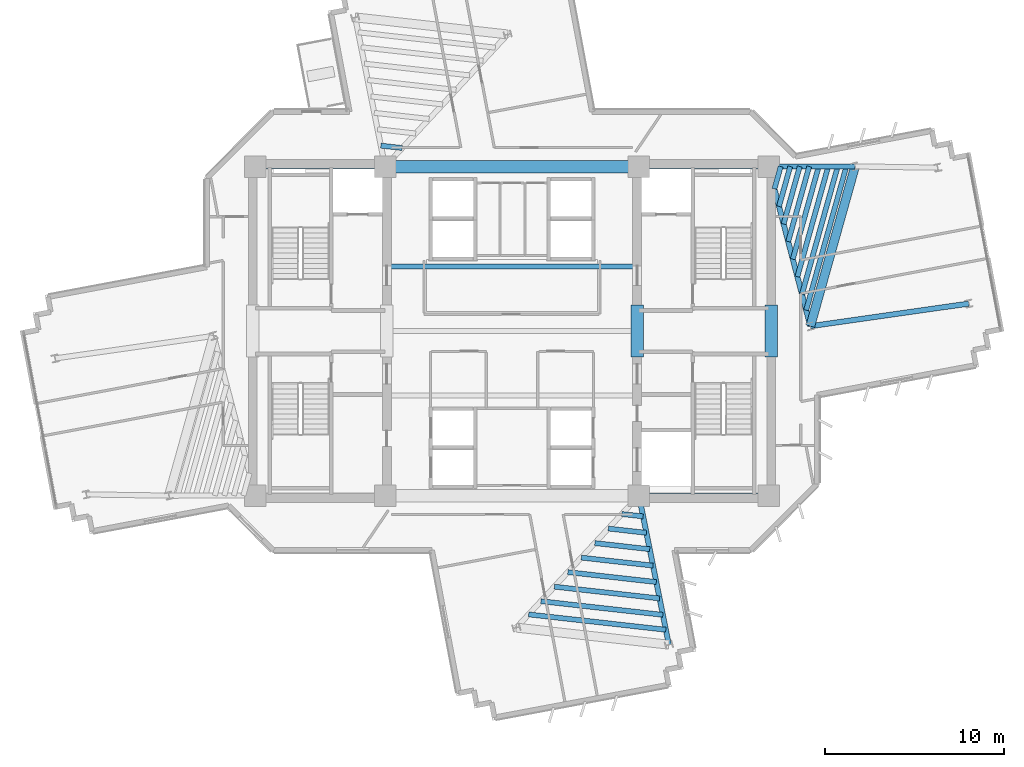
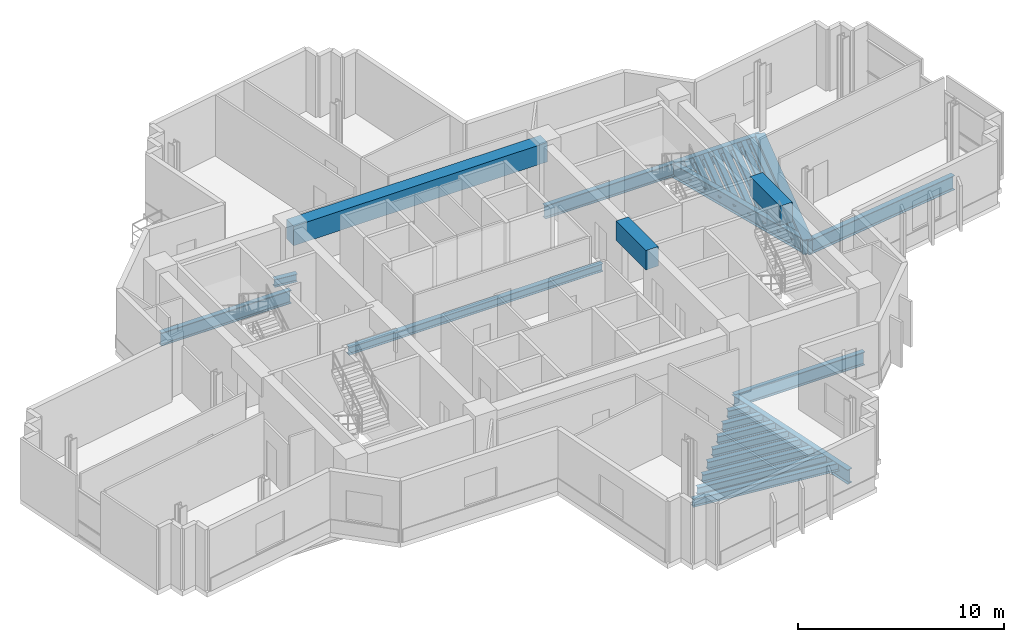
# One storey, part 5 of 16: 29 beams.
"""IFC4 building model written with IfcOpenShell, lengths in metres."""

from ifc_helpers import new_model, si_unit, direction, frame, origin, origin_2d, place, context, subcontext, project, spatial, rectangle, i_section, extrude, source, transform, mapped, material, material_profile, profile_set, type_object, element, save


model = new_model("IFC4")

# Units and contexts
model_context = context("Model", 3, precision=1e-05, world=origin(), true_north=direction((0.0, 1.0)))
body_context = subcontext(model_context, "Body", "Model", "MODEL_VIEW")
ifc_project = project(units=[si_unit("LENGTHUNIT", "METRE"), si_unit("AREAUNIT", "SQUARE_METRE"), si_unit("VOLUMEUNIT", "CUBIC_METRE"), si_unit("PLANEANGLEUNIT", "RADIAN"), si_unit("MASSUNIT", "GRAM", prefix="KILO")], contexts=[model_context])

# Site, building, storey
site_placement = place(None, origin())
site = spatial("IfcSite", under=ifc_project, at=site_placement, CompositionType="ELEMENT")
building_placement = place(site_placement, origin())
building = spatial("IfcBuilding", under=site, at=building_placement, Name="Zahravan Cultural Tower", CompositionType="ELEMENT")
storey_placement = place(building_placement, frame((0.0, 0.0, 151.199951171875)))
storey = spatial("IfcBuildingStorey", under=building, at=storey_placement, Name="L34", CompositionType="ELEMENT", Elevation=151.199951171875)

# Beams
ifc_material_1 = material(Name="Concrete C50/60", Category="concrete")
ifc_material_profile_1 = material_profile(ifc_material_1, rectangle(XDim=0.699951171875, YDim=1.14990234375, at=origin_2d()), Name="RC700X1150")
ifc_profile_set_1 = profile_set([ifc_material_profile_1], Name="Concrete C50/60")
beam_type_1 = type_object("IfcBeamType", Name="BM-LN-RC700X1150", PredefinedType="LINTEL", material=ifc_profile_set_1)
shared_shape_1 = source(origin(), body_context, "Body", "SweptSolid", [
    extrude(rectangle(XDim=0.699951171875, YDim=1.14990234375, at=origin_2d()), origin(), (0.0, 0.0, 1.0), 14.2001953125),
])
beam_1_placement = place(storey_placement, frame((28.89990234375, 36.199951171875, 3.045166015625), z_axis=(1.0, 0.0, 0.0), x_axis=(0.0, 1.0, 0.0)))
element("IfcBeam", 1, at=beam_1_placement, inside=storey, type_object=beam_type_1, Name="L34 Beam LN-L34-N", PredefinedType="LINTEL", context=body_context, shape_type="MappedRepresentation", body=[
    mapped(shared_shape_1, transform((0.0, 0.0, 0.0), x_axis=(1.0, 0.0, 0.0), y_axis=(0.0, 1.0, 0.0), z_axis=(0.0, 0.0, 1.0), scale=1.0)),
])
shared_shape_2 = source(origin(), body_context, "Body", "SweptSolid", [
    extrude(rectangle(XDim=0.699951171875, YDim=1.14990234375, at=origin_2d()), origin(), (0.0, 0.0, 1.0), 2.89990234375),
])
for number, where, z_axis, x_axis, name in (
    (2, (43.0, 25.550048828125, 3.045166015625), (0.0, 1.0, 0.0), (-1.0, 0.0, 0.0), "L34 Beam LN-L34-PEW"),
    (3, (50.5, 25.550048828125, 3.045166015625), (0.0, 1.0, 0.0), (-1.0, 0.0, 0.0), "L34 Beam LN-L34-PEE"),
):
    element("IfcBeam", number, at=place(storey_placement, frame(where, z_axis=z_axis, x_axis=x_axis)), inside=storey, type_object=beam_type_1, Name=name, PredefinedType="LINTEL", context=body_context, shape_type="MappedRepresentation", body=[
        mapped(shared_shape_2, transform((0.0, 0.0, 0.0), x_axis=(1.0, 0.0, 0.0), y_axis=(0.0, 1.0, 0.0), z_axis=(0.0, 0.0, 1.0), scale=1.0)),
    ])
ifc_material_2 = material(Name="Steel ASTM A992 Grade 50", Category="steel")
ifc_material_profile_2 = material_profile(ifc_material_2, i_section(OverallWidth=0.26611328125, OverallDepth=0.780029296875, WebThickness=0.0166015625, FlangeThickness=0.030029296875, FilletRadius=0.01904296875, at=origin_2d()), Name="W30X148")
ifc_profile_set_2 = profile_set([ifc_material_profile_2], Name="Steel ASTM A992 Grade 50")
beam_type_2 = type_object("IfcBeamType", Name="BM-G-W30X148", PredefinedType="BEAM", material=ifc_profile_set_2)
shared_shape_3 = source(origin(), body_context, "Body", "SweptSolid", [
    extrude(i_section(OverallWidth=0.26611328125, OverallDepth=0.780029296875, WebThickness=0.0166015625, FlangeThickness=0.030029296875, FilletRadius=0.01904296875, at=origin_2d()), origin(), (0.0, 0.0, 1.0), 7.25),
])
for number, where, z_axis, x_axis, name in (
    (4, (21.64990234375, 36.199951171875, -0.669921875), (1.0, 0.0, 0.0), (0.0, 1.0, 0.0), "L34 Beam BG-L34-02"),
    (5, (43.10009765625, 17.800048828125, -0.669921875), (1.0, 0.0, 0.0), (0.0, 1.0, 0.0), "L34 Beam BG-L34-04"),
    (6, (43.10009765625, 36.199951171875, -0.669921875), (1.0, 0.0, 0.0), (0.0, 1.0, 0.0), "L34 Beam BG-L34-05"),
):
    element("IfcBeam", number, at=place(storey_placement, frame(where, z_axis=z_axis, x_axis=x_axis)), inside=storey, type_object=beam_type_2, Name=name, PredefinedType="BEAM", context=body_context, shape_type="MappedRepresentation", body=[
        mapped(shared_shape_3, transform((0.0, 0.0, 0.0), x_axis=(1.0, 0.0, 0.0), y_axis=(0.0, 1.0, 0.0), z_axis=(0.0, 0.0, 1.0), scale=1.0)),
    ])
ifc_material_profile_3 = material_profile(ifc_material_1, rectangle(XDim=0.5, YDim=0.85009765625, at=origin_2d()), Name="RC500X850")
ifc_profile_set_3 = profile_set([ifc_material_profile_3], Name="Concrete C50/60")
beam_type_3 = type_object("IfcBeamType", Name="BM-SP-RC500X850", PredefinedType="SPANDREL", material=ifc_profile_set_3)
shared_shape_4 = source(origin(), body_context, "Body", "SweptSolid", [
    extrude(rectangle(XDim=0.5, YDim=0.85009765625, at=origin_2d()), origin(), (0.0, 0.0, 1.0), 9.2783203125),
])
beam_2_placement = place(storey_placement, frame((52.684326171875, 27.27099609375, -0.704833984375), z_axis=(0.269497187032, 0.963001176625, 0.0), x_axis=(-0.963001176625, 0.269497187032, 0.0)))
element("IfcBeam", 7, at=beam_2_placement, inside=storey, type_object=beam_type_3, Name="L34 Beam SP-L34-21", PredefinedType="SPANDREL", context=body_context, shape_type="MappedRepresentation", body=[
    mapped(shared_shape_4, transform((0.0, 0.0, 0.0), x_axis=(1.0, 0.0, 0.0), y_axis=(0.0, 1.0, 0.0), z_axis=(0.0, 0.0, 1.0), scale=1.0)),
])
ifc_material_profile_4 = material_profile(ifc_material_2, i_section(OverallWidth=0.29296875, OverallDepth=0.845947265625, WebThickness=0.015380859375, FlangeThickness=0.0244140625, FilletRadius=0.02001953125, at=origin_2d()), Name="W33X141")
ifc_profile_set_4 = profile_set([ifc_material_profile_4], Name="Steel ASTM A992 Grade 50")
beam_type_4 = type_object("IfcBeamType", Name="BM-G-W33X141", PredefinedType="BEAM", material=ifc_profile_set_4)
shared_shape_5 = source(origin(), body_context, "Body", "SweptSolid", [
    extrude(i_section(OverallWidth=0.29296875, OverallDepth=0.845947265625, WebThickness=0.015380859375, FlangeThickness=0.0244140625, FilletRadius=0.02001953125, at=origin_2d()), origin(), (0.0, 0.0, 1.0), 9.22900390625),
])
beam_3_placement = place(storey_placement, frame((50.35009765625, 36.199951171875, -0.702880859375), z_axis=(0.252922608408, -0.967486513682, 0.0), x_axis=(0.967486513682, 0.252922608408, 0.0)))
element("IfcBeam", 8, at=beam_3_placement, inside=storey, type_object=beam_type_4, Name="L34 Beam BG-L34-11", PredefinedType="BEAM", context=body_context, shape_type="MappedRepresentation", body=[
    mapped(shared_shape_5, transform((0.0, 0.0, 0.0), x_axis=(1.0, 0.0, 0.0), y_axis=(0.0, 1.0, 0.0), z_axis=(0.0, 0.0, 1.0), scale=1.0)),
])
shared_shape_6 = source(origin(), body_context, "Body", "SweptSolid", [
    extrude(i_section(OverallWidth=0.29296875, OverallDepth=0.845947265625, WebThickness=0.015380859375, FlangeThickness=0.0244140625, FilletRadius=0.02001953125, at=origin_2d()), origin(), (0.0, 0.0, 1.0), 4.834716796875),
])
beam_4_placement = place(storey_placement, frame((50.35009765625, 36.199951171875, -0.702880859375), z_axis=(0.99999920313, 0.001262433979, 0.0), x_axis=(-0.001262433979, 0.99999920313, 0.0)))
element("IfcBeam", 9, at=beam_4_placement, inside=storey, type_object=beam_type_4, Name="L34 Beam BG-L34-12", PredefinedType="BEAM", context=body_context, shape_type="MappedRepresentation", body=[
    mapped(shared_shape_6, transform((0.0, 0.0, 0.0), x_axis=(1.0, 0.0, 0.0), y_axis=(0.0, 1.0, 0.0), z_axis=(0.0, 0.0, 1.0), scale=1.0)),
])
shared_shape_7 = source(origin(), body_context, "Body", "SweptSolid", [
    extrude(i_section(OverallWidth=0.29296875, OverallDepth=0.845947265625, WebThickness=0.015380859375, FlangeThickness=0.0244140625, FilletRadius=0.02001953125, at=origin_2d()), origin(), (0.0, 0.0, 1.0), 8.50732421875),
])
beam_5_placement = place(storey_placement, frame((43.10009765625, 17.800048828125, -0.702880859375), z_axis=(0.196524514012, -0.980498911469, 0.0), x_axis=(0.980498911469, 0.196524514012, 0.0)))
element("IfcBeam", 10, at=beam_5_placement, inside=storey, type_object=beam_type_4, Name="L34 Beam BG-L34-10", PredefinedType="BEAM", context=body_context, shape_type="MappedRepresentation", body=[
    mapped(shared_shape_7, transform((0.0, 0.0, 0.0), x_axis=(1.0, 0.0, 0.0), y_axis=(0.0, 1.0, 0.0), z_axis=(0.0, 0.0, 1.0), scale=1.0)),
])
shared_shape_8 = source(origin(), body_context, "Body", "SweptSolid", [
    extrude(i_section(OverallWidth=0.29296875, OverallDepth=0.845947265625, WebThickness=0.015380859375, FlangeThickness=0.0244140625, FilletRadius=0.02001953125, at=origin_2d()), origin(), (0.0, 0.0, 1.0), 8.9580078125),
])
beam_6_placement = place(storey_placement, frame((52.684326171875, 27.27099609375, -0.702880859375), z_axis=(0.990000122431, 0.141066500584, 0.0), x_axis=(-0.141066500584, 0.990000122431, 0.0)))
element("IfcBeam", 11, at=beam_6_placement, inside=storey, type_object=beam_type_4, Name="L34 Beam BG-L34-15", PredefinedType="BEAM", context=body_context, shape_type="MappedRepresentation", body=[
    mapped(shared_shape_8, transform((0.0, 0.0, 0.0), x_axis=(1.0, 0.0, 0.0), y_axis=(0.0, 1.0, 0.0), z_axis=(0.0, 0.0, 1.0), scale=1.0)),
])
ifc_material_profile_5 = material_profile(ifc_material_2, i_section(OverallWidth=0.280029296875, OverallDepth=0.462890625, WebThickness=0.0107421875, FlangeThickness=0.017333984375, FilletRadius=0.012939453125, at=origin_2d()), Name="W18X76")
ifc_profile_set_5 = profile_set([ifc_material_profile_5], Name="Steel ASTM A992 Grade 50")
beam_type_5 = type_object("IfcBeamType", Name="BM-J-W18X76", PredefinedType="JOIST", material=ifc_profile_set_5)
shared_shape_9 = source(origin(), body_context, "Body", "SweptSolid", [
    extrude(i_section(OverallWidth=0.280029296875, OverallDepth=0.462890625, WebThickness=0.0107421875, FlangeThickness=0.017333984375, FilletRadius=0.012939453125, at=origin_2d()), origin(), (0.0, 0.0, 1.0), 14.2001953125),
])
beam_7_placement = place(storey_placement, frame((28.89990234375, 30.60009765625, -0.511474609375), z_axis=(1.0, 0.0, 0.0), x_axis=(0.0, 1.0, 0.0)))
element("IfcBeam", 12, at=beam_7_placement, inside=storey, type_object=beam_type_5, Name="L34 Beam BJ-L34-25", PredefinedType="JOIST", context=body_context, shape_type="MappedRepresentation", body=[
    mapped(shared_shape_9, transform((0.0, 0.0, 0.0), x_axis=(1.0, 0.0, 0.0), y_axis=(0.0, 1.0, 0.0), z_axis=(0.0, 0.0, 1.0), scale=1.0)),
])
shared_shape_10 = source(origin(), body_context, "Body", "SweptSolid", [
    extrude(i_section(OverallWidth=0.280029296875, OverallDepth=0.462890625, WebThickness=0.0107421875, FlangeThickness=0.017333984375, FilletRadius=0.012939453125, at=origin_2d()), origin(), (0.0, 0.0, 1.0), 1.299072265625),
])
beam_8_placement = place(storey_placement, frame((50.6767578125, 34.949951171875, -0.511474609375), z_axis=(0.269504444708, 0.962999145525, 0.0), x_axis=(-0.962999145525, 0.269504444708, 0.0)))
element("IfcBeam", 13, at=beam_8_placement, inside=storey, type_object=beam_type_5, Name="L34 Beam BJ-L34-42", PredefinedType="JOIST", context=body_context, shape_type="MappedRepresentation", body=[
    mapped(shared_shape_10, transform((0.0, 0.0, 0.0), x_axis=(1.0, 0.0, 0.0), y_axis=(0.0, 1.0, 0.0), z_axis=(0.0, 0.0, 1.0), scale=1.0)),
])
shared_shape_11 = source(origin(), body_context, "Body", "SweptSolid", [
    extrude(i_section(OverallWidth=0.280029296875, OverallDepth=0.462890625, WebThickness=0.0107421875, FlangeThickness=0.017333984375, FilletRadius=0.012939453125, at=origin_2d()), origin(), (0.0, 0.0, 1.0), 2.3193359375),
])
beam_9_placement = place(storey_placement, frame((50.93359375, 33.9677734375, -0.511474609375), z_axis=(0.269462038626, 0.963011012263, 0.0), x_axis=(-0.963011012263, 0.269462038626, 0.0)))
element("IfcBeam", 14, at=beam_9_placement, inside=storey, type_object=beam_type_5, Name="L34 Beam BJ-L34-43", PredefinedType="JOIST", context=body_context, shape_type="MappedRepresentation", body=[
    mapped(shared_shape_11, transform((0.0, 0.0, 0.0), x_axis=(1.0, 0.0, 0.0), y_axis=(0.0, 1.0, 0.0), z_axis=(0.0, 0.0, 1.0), scale=1.0)),
])
shared_shape_12 = source(origin(), body_context, "Body", "SweptSolid", [
    extrude(i_section(OverallWidth=0.280029296875, OverallDepth=0.462890625, WebThickness=0.0107421875, FlangeThickness=0.017333984375, FilletRadius=0.012939453125, at=origin_2d()), origin(), (0.0, 0.0, 1.0), 3.340087890625),
])
beam_10_placement = place(storey_placement, frame((51.190185546875, 32.985595703125, -0.511474609375), z_axis=(0.269562146951, 0.962982995141, 0.0), x_axis=(-0.962982995141, 0.269562146951, 0.0)))
element("IfcBeam", 15, at=beam_10_placement, inside=storey, type_object=beam_type_5, Name="L34 Beam BJ-L34-44", PredefinedType="JOIST", context=body_context, shape_type="MappedRepresentation", body=[
    mapped(shared_shape_12, transform((0.0, 0.0, 0.0), x_axis=(1.0, 0.0, 0.0), y_axis=(0.0, 1.0, 0.0), z_axis=(0.0, 0.0, 1.0), scale=1.0)),
])
shared_shape_13 = source(origin(), body_context, "Body", "SweptSolid", [
    extrude(i_section(OverallWidth=0.280029296875, OverallDepth=0.462890625, WebThickness=0.0107421875, FlangeThickness=0.017333984375, FilletRadius=0.012939453125, at=origin_2d()), origin(), (0.0, 0.0, 1.0), 4.36083984375),
])
beam_11_placement = place(storey_placement, frame((51.447021484375, 32.00341796875, -0.511474609375), z_axis=(0.269511557673, 0.962997154866, 0.0), x_axis=(-0.962997154866, 0.269511557673, 0.0)))
element("IfcBeam", 16, at=beam_11_placement, inside=storey, type_object=beam_type_5, Name="L34 Beam BJ-L34-45", PredefinedType="JOIST", context=body_context, shape_type="MappedRepresentation", body=[
    mapped(shared_shape_13, transform((0.0, 0.0, 0.0), x_axis=(1.0, 0.0, 0.0), y_axis=(0.0, 1.0, 0.0), z_axis=(0.0, 0.0, 1.0), scale=1.0)),
])
shared_shape_14 = source(origin(), body_context, "Body", "SweptSolid", [
    extrude(i_section(OverallWidth=0.280029296875, OverallDepth=0.462890625, WebThickness=0.0107421875, FlangeThickness=0.017333984375, FilletRadius=0.012939453125, at=origin_2d()), origin(), (0.0, 0.0, 1.0), 5.3818359375),
])
beam_12_placement = place(storey_placement, frame((51.703857421875, 31.02099609375, -0.511474609375), z_axis=(0.269510454638, 0.962997463569, 0.0), x_axis=(-0.962997463569, 0.269510454638, 0.0)))
element("IfcBeam", 17, at=beam_12_placement, inside=storey, type_object=beam_type_5, Name="L34 Beam BJ-L34-46", PredefinedType="JOIST", context=body_context, shape_type="MappedRepresentation", body=[
    mapped(shared_shape_14, transform((0.0, 0.0, 0.0), x_axis=(1.0, 0.0, 0.0), y_axis=(0.0, 1.0, 0.0), z_axis=(0.0, 0.0, 1.0), scale=1.0)),
])
shared_shape_15 = source(origin(), body_context, "Body", "SweptSolid", [
    extrude(i_section(OverallWidth=0.280029296875, OverallDepth=0.462890625, WebThickness=0.0107421875, FlangeThickness=0.017333984375, FilletRadius=0.012939453125, at=origin_2d()), origin(), (0.0, 0.0, 1.0), 6.402099609375),
])
beam_13_placement = place(storey_placement, frame((51.960693359375, 30.038818359375, -0.511474609375), z_axis=(0.269494133533, 0.963002031146, 0.0), x_axis=(-0.963002031146, 0.269494133533, 0.0)))
element("IfcBeam", 18, at=beam_13_placement, inside=storey, type_object=beam_type_5, Name="L34 Beam BJ-L34-47", PredefinedType="JOIST", context=body_context, shape_type="MappedRepresentation", body=[
    mapped(shared_shape_15, transform((0.0, 0.0, 0.0), x_axis=(1.0, 0.0, 0.0), y_axis=(0.0, 1.0, 0.0), z_axis=(0.0, 0.0, 1.0), scale=1.0)),
])
shared_shape_16 = source(origin(), body_context, "Body", "SweptSolid", [
    extrude(i_section(OverallWidth=0.280029296875, OverallDepth=0.462890625, WebThickness=0.0107421875, FlangeThickness=0.017333984375, FilletRadius=0.012939453125, at=origin_2d()), origin(), (0.0, 0.0, 1.0), 7.4228515625),
])
beam_14_placement = place(storey_placement, frame((52.21728515625, 29.056640625, -0.511474609375), z_axis=(0.269504266128, 0.962999195503, 0.0), x_axis=(-0.962999195503, 0.269504266128, 0.0)))
element("IfcBeam", 19, at=beam_14_placement, inside=storey, type_object=beam_type_5, Name="L34 Beam BJ-L34-48", PredefinedType="JOIST", context=body_context, shape_type="MappedRepresentation", body=[
    mapped(shared_shape_16, transform((0.0, 0.0, 0.0), x_axis=(1.0, 0.0, 0.0), y_axis=(0.0, 1.0, 0.0), z_axis=(0.0, 0.0, 1.0), scale=1.0)),
])
shared_shape_17 = source(origin(), body_context, "Body", "SweptSolid", [
    extrude(i_section(OverallWidth=0.280029296875, OverallDepth=0.462890625, WebThickness=0.0107421875, FlangeThickness=0.017333984375, FilletRadius=0.012939453125, at=origin_2d()), origin(), (0.0, 0.0, 1.0), 8.350830078125),
])
beam_15_placement = place(storey_placement, frame((52.450927734375, 28.163818359375, -0.511474609375), z_axis=(0.269496539555, 0.963001357822, 0.0), x_axis=(-0.963001357822, 0.269496539555, 0.0)))
element("IfcBeam", 20, at=beam_15_placement, inside=storey, type_object=beam_type_5, Name="L34 Beam BJ-L34-49", PredefinedType="JOIST", context=body_context, shape_type="MappedRepresentation", body=[
    mapped(shared_shape_17, transform((0.0, 0.0, 0.0), x_axis=(1.0, 0.0, 0.0), y_axis=(0.0, 1.0, 0.0), z_axis=(0.0, 0.0, 1.0), scale=1.0)),
])
shared_shape_18 = source(origin(), body_context, "Body", "SweptSolid", [
    extrude(i_section(OverallWidth=0.280029296875, OverallDepth=0.462890625, WebThickness=0.0107421875, FlangeThickness=0.017333984375, FilletRadius=0.012939453125, at=origin_2d()), origin(), (0.0, 0.0, 1.0), 1.201171875),
])
for number, where, z_axis, x_axis, name in (
    (21, (42.140380859375, 16.765625, -0.511474609375), (0.99379916149, -0.111190047317, 0.0), (0.111190047317, 0.99379916149, 0.0), "L34 Beam BJ-L34-34"),
    (22, (29.859619140625, 37.234375, -0.511474609375), (-0.99379916149, 0.111190047317, 0.0), (-0.111190047317, -0.99379916149, 0.0), "L34 Beam BJ-L34-50"),
):
    element("IfcBeam", number, at=place(storey_placement, frame(where, z_axis=z_axis, x_axis=x_axis)), inside=storey, type_object=beam_type_5, Name=name, PredefinedType="JOIST", context=body_context, shape_type="MappedRepresentation", body=[
        mapped(shared_shape_18, transform((0.0, 0.0, 0.0), x_axis=(1.0, 0.0, 0.0), y_axis=(0.0, 1.0, 0.0), z_axis=(0.0, 0.0, 1.0), scale=1.0)),
    ])
shared_shape_19 = source(origin(), body_context, "Body", "SweptSolid", [
    extrude(i_section(OverallWidth=0.280029296875, OverallDepth=0.462890625, WebThickness=0.0107421875, FlangeThickness=0.017333984375, FilletRadius=0.012939453125, at=origin_2d()), origin(), (0.0, 0.0, 1.0), 2.144775390625),
])
beam_16_placement = place(storey_placement, frame((41.386474609375, 15.953125, -0.511474609375), z_axis=(0.993797370806, -0.111206051, 0.0), x_axis=(0.111206051, 0.993797370806, 0.0)))
element("IfcBeam", 23, at=beam_16_placement, inside=storey, type_object=beam_type_5, Name="L34 Beam BJ-L34-35", PredefinedType="JOIST", context=body_context, shape_type="MappedRepresentation", body=[
    mapped(shared_shape_19, transform((0.0, 0.0, 0.0), x_axis=(1.0, 0.0, 0.0), y_axis=(0.0, 1.0, 0.0), z_axis=(0.0, 0.0, 1.0), scale=1.0)),
])
shared_shape_20 = source(origin(), body_context, "Body", "SweptSolid", [
    extrude(i_section(OverallWidth=0.280029296875, OverallDepth=0.462890625, WebThickness=0.0107421875, FlangeThickness=0.017333984375, FilletRadius=0.012939453125, at=origin_2d()), origin(), (0.0, 0.0, 1.0), 3.088623046875),
])
beam_17_placement = place(storey_placement, frame((40.63232421875, 15.140380859375, -0.511474609375), z_axis=(0.993805407368, -0.111134208443, 0.0), x_axis=(0.111134208443, 0.993805407368, 0.0)))
element("IfcBeam", 24, at=beam_17_placement, inside=storey, type_object=beam_type_5, Name="L34 Beam BJ-L34-36", PredefinedType="JOIST", context=body_context, shape_type="MappedRepresentation", body=[
    mapped(shared_shape_20, transform((0.0, 0.0, 0.0), x_axis=(1.0, 0.0, 0.0), y_axis=(0.0, 1.0, 0.0), z_axis=(0.0, 0.0, 1.0), scale=1.0)),
])
shared_shape_21 = source(origin(), body_context, "Body", "SweptSolid", [
    extrude(i_section(OverallWidth=0.280029296875, OverallDepth=0.462890625, WebThickness=0.0107421875, FlangeThickness=0.017333984375, FilletRadius=0.012939453125, at=origin_2d()), origin(), (0.0, 0.0, 1.0), 4.0322265625),
])
beam_18_placement = place(storey_placement, frame((39.87841796875, 14.327880859375, -0.511474609375), z_axis=(0.993802245601, -0.11116247855, 0.0), x_axis=(0.11116247855, 0.993802245601, 0.0)))
element("IfcBeam", 25, at=beam_18_placement, inside=storey, type_object=beam_type_5, Name="L34 Beam BJ-L34-37", PredefinedType="JOIST", context=body_context, shape_type="MappedRepresentation", body=[
    mapped(shared_shape_21, transform((0.0, 0.0, 0.0), x_axis=(1.0, 0.0, 0.0), y_axis=(0.0, 1.0, 0.0), z_axis=(0.0, 0.0, 1.0), scale=1.0)),
])
shared_shape_22 = source(origin(), body_context, "Body", "SweptSolid", [
    extrude(i_section(OverallWidth=0.280029296875, OverallDepth=0.462890625, WebThickness=0.0107421875, FlangeThickness=0.017333984375, FilletRadius=0.012939453125, at=origin_2d()), origin(), (0.0, 0.0, 1.0), 4.97607421875),
])
beam_19_placement = place(storey_placement, frame((39.124267578125, 13.51513671875, -0.511474609375), z_axis=(0.993806308517, -0.111126149723, 0.0), x_axis=(0.111126149723, 0.993806308517, 0.0)))
element("IfcBeam", 26, at=beam_19_placement, inside=storey, type_object=beam_type_5, Name="L34 Beam BJ-L34-38", PredefinedType="JOIST", context=body_context, shape_type="MappedRepresentation", body=[
    mapped(shared_shape_22, transform((0.0, 0.0, 0.0), x_axis=(1.0, 0.0, 0.0), y_axis=(0.0, 1.0, 0.0), z_axis=(0.0, 0.0, 1.0), scale=1.0)),
])
shared_shape_23 = source(origin(), body_context, "Body", "SweptSolid", [
    extrude(i_section(OverallWidth=0.280029296875, OverallDepth=0.462890625, WebThickness=0.0107421875, FlangeThickness=0.017333984375, FilletRadius=0.012939453125, at=origin_2d()), origin(), (0.0, 0.0, 1.0), 5.919921875),
])
beam_20_placement = place(storey_placement, frame((38.370361328125, 12.70263671875, -0.511474609375), z_axis=(0.993804520866, -0.111142135602, 0.0), x_axis=(0.111142135602, 0.993804520866, 0.0)))
element("IfcBeam", 27, at=beam_20_placement, inside=storey, type_object=beam_type_5, Name="L34 Beam BJ-L34-39", PredefinedType="JOIST", context=body_context, shape_type="MappedRepresentation", body=[
    mapped(shared_shape_23, transform((0.0, 0.0, 0.0), x_axis=(1.0, 0.0, 0.0), y_axis=(0.0, 1.0, 0.0), z_axis=(0.0, 0.0, 1.0), scale=1.0)),
])
shared_shape_24 = source(origin(), body_context, "Body", "SweptSolid", [
    extrude(i_section(OverallWidth=0.280029296875, OverallDepth=0.462890625, WebThickness=0.0107421875, FlangeThickness=0.017333984375, FilletRadius=0.012939453125, at=origin_2d()), origin(), (0.0, 0.0, 1.0), 6.86376953125),
])
beam_21_placement = place(storey_placement, frame((37.6162109375, 11.889892578125, -0.511474609375), z_axis=(0.993803224695, -0.111153725024, 0.0), x_axis=(0.111153725024, 0.993803224695, 0.0)))
element("IfcBeam", 28, at=beam_21_placement, inside=storey, type_object=beam_type_5, Name="L34 Beam BJ-L34-40", PredefinedType="JOIST", context=body_context, shape_type="MappedRepresentation", body=[
    mapped(shared_shape_24, transform((0.0, 0.0, 0.0), x_axis=(1.0, 0.0, 0.0), y_axis=(0.0, 1.0, 0.0), z_axis=(0.0, 0.0, 1.0), scale=1.0)),
])
shared_shape_25 = source(origin(), body_context, "Body", "SweptSolid", [
    extrude(i_section(OverallWidth=0.280029296875, OverallDepth=0.462890625, WebThickness=0.0107421875, FlangeThickness=0.017333984375, FilletRadius=0.012939453125, at=origin_2d()), origin(), (0.0, 0.0, 1.0), 7.7216796875),
])
beam_22_placement = place(storey_placement, frame((36.930908203125, 11.151123046875, -0.511474609375), z_axis=(0.993805212115, -0.11113595446, 0.0), x_axis=(0.11113595446, 0.993805212115, 0.0)))
element("IfcBeam", 29, at=beam_22_placement, inside=storey, type_object=beam_type_5, Name="L34 Beam BJ-L34-41", PredefinedType="JOIST", context=body_context, shape_type="MappedRepresentation", body=[
    mapped(shared_shape_25, transform((0.0, 0.0, 0.0), x_axis=(1.0, 0.0, 0.0), y_axis=(0.0, 1.0, 0.0), z_axis=(0.0, 0.0, 1.0), scale=1.0)),
])

save(model, "model.ifc")
